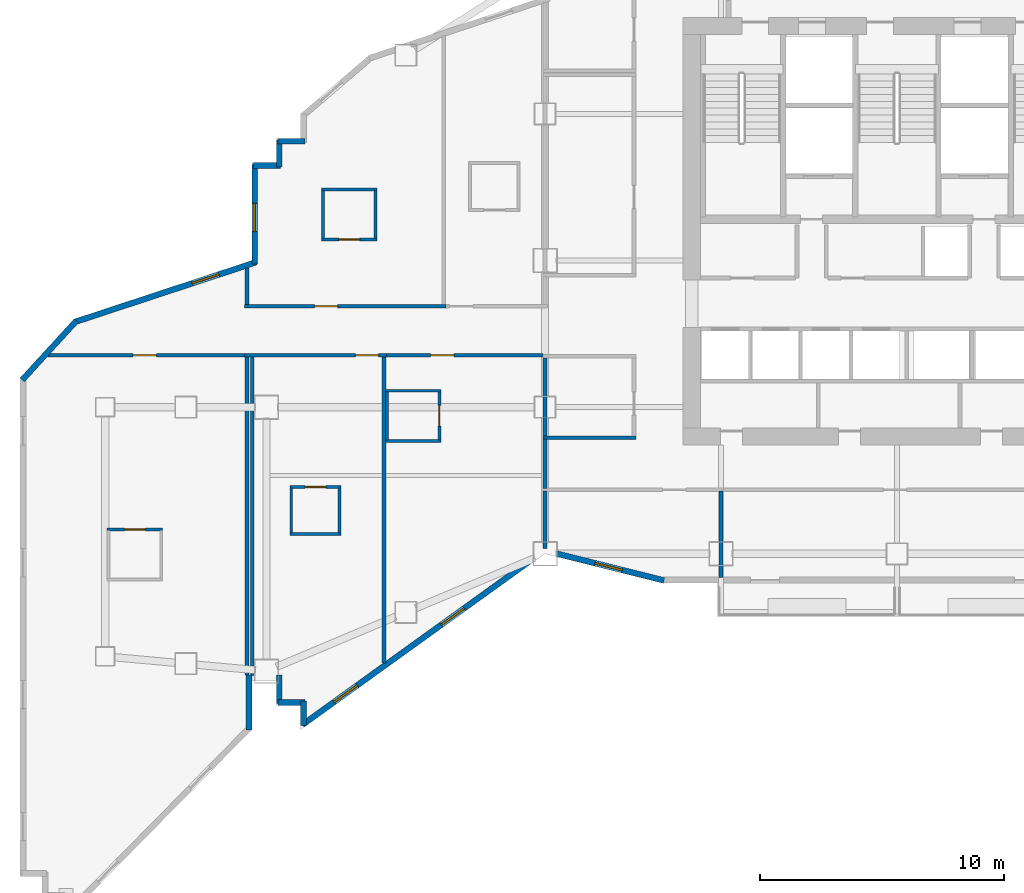
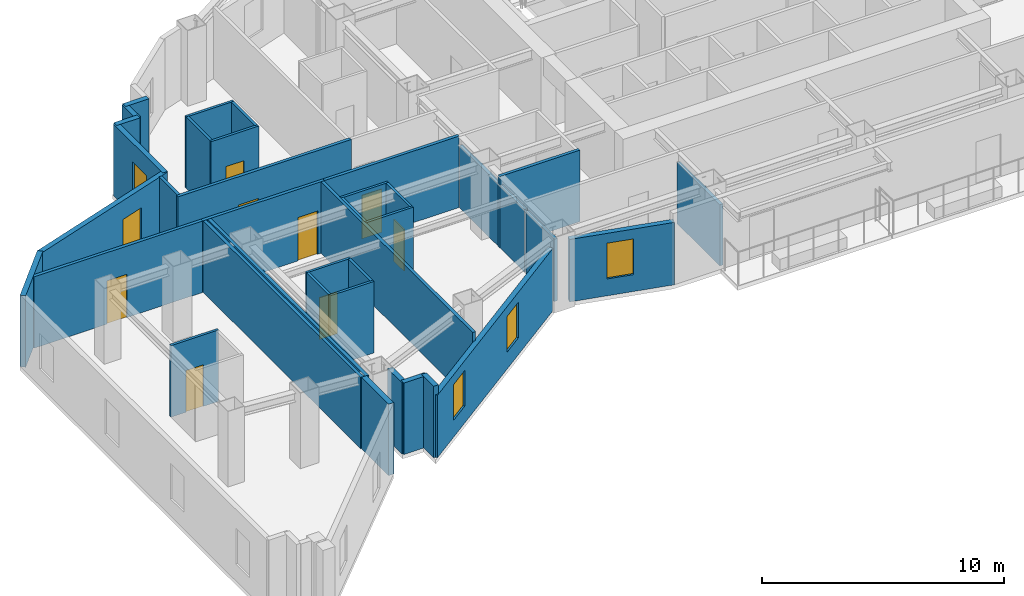
# One storey, part 5 of 14: 38 walls, 8 doors, 5 windows, 13 openings.
"""IFC4 building model written with IfcOpenShell, lengths in metres."""

from ifc_helpers import new_model, si_unit, direction, frame, frame_2d, origin, place, context, subcontext, project, spatial, rectangle, extrude, material, layer, layer_set, type_object, element, fill, save


model = new_model("IFC4")

# Units and contexts
model_context = context("Model", 3, precision=1e-05, world=origin(), true_north=direction((0.0, 1.0)))
body_context = subcontext(model_context, "Body", "Model", "MODEL_VIEW")
ifc_project = project(units=[si_unit("LENGTHUNIT", "METRE"), si_unit("AREAUNIT", "SQUARE_METRE"), si_unit("VOLUMEUNIT", "CUBIC_METRE"), si_unit("PLANEANGLEUNIT", "RADIAN"), si_unit("MASSUNIT", "GRAM", prefix="KILO")], contexts=[model_context])

# Site, building, storey
site_placement = place(None, origin())
site = spatial("IfcSite", under=ifc_project, at=site_placement, CompositionType="ELEMENT")
building_placement = place(site_placement, origin())
building = spatial("IfcBuilding", under=site, at=building_placement, Name="Haolan Belvedere Tower", CompositionType="ELEMENT")
storey_placement = place(building_placement, frame((0.0, 0.0, 109.800048828125)))
storey = spatial("IfcBuildingStorey", under=building, at=storey_placement, Name="L27", CompositionType="ELEMENT", Elevation=109.800048828125)

# Walls
ifc_material_1 = material(Name="Precast concrete C40/50", Category="concrete")
ifc_layer_1 = layer(ifc_material_1, 0.239990234375, Name="Precast concrete C40/50")
ifc_layer_set_1 = layer_set([ifc_layer_1], Name="Precast concrete C40/50")
wall_type_1 = type_object("IfcWallType", Name="WL-EXT-240", PredefinedType="SOLIDWALL", material=ifc_layer_set_1)
wall_1_placement = place(storey_placement, frame((13.1201171875, 16.639892578125, 0.0), z_axis=(0.0, 0.0, 1.0), x_axis=(0.0, -1.0, 0.0)))
element("IfcWall", 1, at=wall_1_placement, inside=storey, type_object=wall_type_1, Name="L27 pale-metal exterior spandrel wall 2.1", PredefinedType="SOLIDWALL", context=body_context, shape_type="SweptSolid", body=[
    extrude(rectangle(XDim=1.1748046875, YDim=0.239990234375, at=frame_2d((0.58740234375, 0.0))), origin(), (0.0, 0.0, 1.0), 3.599853515625),
])
wall_2_placement = place(storey_placement, frame((13.06494140625, 15.52001953125, 0.0), z_axis=(0.0, 0.0, 1.0), x_axis=(1.0, 0.0, 0.0)))
element("IfcWall", 2, at=wall_2_placement, inside=storey, type_object=wall_type_1, Name="L27 pale-metal exterior spandrel wall 3.1", PredefinedType="SOLIDWALL", context=body_context, shape_type="SweptSolid", body=[
    extrude(rectangle(XDim=1.110107421875, YDim=0.239990234375, at=frame_2d((0.55517578125, 0.0))), origin(), (0.0, 0.0, 1.0), 3.599853515625),
])
wall_3_placement = place(storey_placement, frame((14.1201171875, 15.574951171875, 0.0), z_axis=(0.0, 0.0, 1.0), x_axis=(0.0, -1.0, 0.0)))
element("IfcWall", 3, at=wall_3_placement, inside=storey, type_object=wall_type_1, Name="L27 pale-metal exterior spandrel wall 4.1", PredefinedType="SOLIDWALL", context=body_context, shape_type="SweptSolid", body=[
    extrude(rectangle(XDim=0.99560546875, YDim=0.239990234375, at=frame_2d((0.497802734375, 0.0))), origin(), (0.0, 0.0, 1.0), 3.599853515625),
])

# Wall, openings, windows
wall_4_placement = place(storey_placement, frame((14.075439453125, 14.602294921875, 0.0), z_axis=(0.0, 0.0, 1.0), x_axis=(0.811543504691, 0.584291998913, 0.0)))
wall_4 = element("IfcWall", 4, at=wall_4_placement, inside=storey, type_object=wall_type_1, Name="L27 pale-metal exterior spandrel wall 5.1", PredefinedType="SOLIDWALL", context=body_context, shape_type="SweptSolid", body=[
    extrude(rectangle(XDim=11.623046875, YDim=0.239990234375, at=frame_2d((5.8115234375, 0.0))), origin(), (0.0, 0.0, 1.0), 3.14501953125),
])
opening_1_placement = place(wall_4_placement, frame((1.60009765625, 0.0, 0.85009765625)))
opening_1 = element("IfcOpeningElement", 5, at=opening_1_placement, cuts=wall_4, Name="Opening W-02", PredefinedType="OPENING", context=body_context, shape_type="SweptSolid", body=[
    extrude(rectangle(XDim=1.14990234375, YDim=1.800048828125, at=frame_2d((0.574951171875, 0.89990234375))), frame((0.0, 0.1298828125, 0.0), z_axis=(0.0, -1.0, 0.0), x_axis=(1.0, 0.0, 0.0)), (0.0, 0.0, 1.0), 0.260009765625),
])
opening_2_placement = place(wall_4_placement, frame((7.0, 0.0, 0.85009765625)))
opening_2 = element("IfcOpeningElement", 6, at=opening_2_placement, cuts=wall_4, Name="Opening W-02", PredefinedType="OPENING", context=body_context, shape_type="SweptSolid", body=[
    extrude(rectangle(XDim=1.14990234375, YDim=1.800048828125, at=frame_2d((0.574951171875, 0.89990234375))), frame((0.0, 0.1298828125, 0.0), z_axis=(0.0, -1.0, 0.0), x_axis=(1.0, 0.0, 0.0)), (0.0, 0.0, 1.0), 0.260009765625),
])
ifc_material_2 = material(Name="Anodised aluminium 6063-T6 and Low-E glass", Category="aluminium")
window_type = type_object("IfcWindowType", Name="WN-DECO-Z2", PartitioningType="SINGLE_PANEL", PredefinedType="WINDOW", material=ifc_material_2)
window_1_placement = place(opening_1_placement, origin())
window_1 = element("IfcWindow", 7, at=window_1_placement, inside=storey, type_object=window_type, Name="L27 Art Deco chevron window 1", OverallHeight=1.800048828125, OverallWidth=1.14990234375, PartitioningType="SINGLE_PANEL", PredefinedType="WINDOW", context=body_context, shape_type="SweptSolid", body=[
    extrude(rectangle(XDim=1.14990234375, YDim=1.800048828125, at=frame_2d((0.574951171875, 0.89990234375))), frame((0.0, 0.030029296875, 0.0), z_axis=(0.0, -1.0, 0.0), x_axis=(1.0, 0.0, 0.0)), (0.0, 0.0, 1.0), 0.06005859375),
])
fill(opening_1, window_1)
window_2_placement = place(opening_2_placement, origin())
window_2 = element("IfcWindow", 8, at=window_2_placement, inside=storey, type_object=window_type, Name="L27 Art Deco chevron window 2", OverallHeight=1.800048828125, OverallWidth=1.14990234375, PartitioningType="SINGLE_PANEL", PredefinedType="WINDOW", context=body_context, shape_type="SweptSolid", body=[
    extrude(rectangle(XDim=1.14990234375, YDim=1.800048828125, at=frame_2d((0.574951171875, 0.89990234375))), frame((0.0, 0.030029296875, 0.0), z_axis=(0.0, -1.0, 0.0), x_axis=(1.0, 0.0, 0.0)), (0.0, 0.0, 1.0), 0.06005859375),
])
fill(opening_2, window_2)

# Wall, opening, window
wall_5_placement = place(storey_placement, frame((24.491943359375, 21.6005859375, 0.0), z_axis=(0.0, 0.0, 1.0), x_axis=(0.970145683738, -0.242522890311, 0.0)))
wall_5 = element("IfcWall", 9, at=wall_5_placement, inside=storey, type_object=wall_type_1, Name="L27 pale-metal exterior spandrel wall 6.1", PredefinedType="SOLIDWALL", context=body_context, shape_type="SweptSolid", body=[
    extrude(rectangle(XDim=4.510986328125, YDim=0.239990234375, at=frame_2d((2.25537109375, 0.0))), origin(), (0.0, 0.0, 1.0), 3.14501953125),
])
opening_3_placement = place(wall_5_placement, frame((1.60009765625, 0.0, 0.85009765625)))
opening_3 = element("IfcOpeningElement", 10, at=opening_3_placement, cuts=wall_5, Name="Opening W-02", PredefinedType="OPENING", context=body_context, shape_type="SweptSolid", body=[
    extrude(rectangle(XDim=1.14990234375, YDim=1.800048828125, at=frame_2d((0.574951171875, 0.89990234375))), frame((0.0, 0.1298828125, 0.0), z_axis=(0.0, -1.0, 0.0), x_axis=(1.0, 0.0, 0.0)), (0.0, 0.0, 1.0), 0.260009765625),
])
window_3_placement = place(opening_3_placement, origin())
window_3 = element("IfcWindow", 11, at=window_3_placement, inside=storey, type_object=window_type, Name="L27 Art Deco chevron window 1", OverallHeight=1.800048828125, OverallWidth=1.14990234375, PartitioningType="SINGLE_PANEL", PredefinedType="WINDOW", context=body_context, shape_type="SweptSolid", body=[
    extrude(rectangle(XDim=1.14990234375, YDim=1.800048828125, at=frame_2d((0.574951171875, 0.89990234375))), frame((0.0, 0.030029296875, 0.0), z_axis=(0.0, -1.0, 0.0), x_axis=(1.0, 0.0, 0.0)), (0.0, 0.0, 1.0), 0.06005859375),
])
fill(opening_3, window_3)

# Walls
wall_6_placement = place(storey_placement, frame((14.175048828125, 38.47998046875, 0.0), z_axis=(0.0, 0.0, 1.0), x_axis=(-1.0, 0.0, 0.0)))
element("IfcWall", 12, at=wall_6_placement, inside=storey, type_object=wall_type_1, Name="L27 pale-metal exterior spandrel wall 38.1", PredefinedType="SOLIDWALL", context=body_context, shape_type="SweptSolid", body=[
    extrude(rectangle(XDim=1.110107421875, YDim=0.239990234375, at=frame_2d((0.55517578125, 0.0))), origin(), (0.0, 0.0, 1.0), 3.599853515625),
])
wall_7_placement = place(storey_placement, frame((13.1201171875, 38.534912109375, 0.0), z_axis=(0.0, 0.0, 1.0), x_axis=(0.0, -1.0, 0.0)))
element("IfcWall", 13, at=wall_7_placement, inside=storey, type_object=wall_type_1, Name="L27 pale-metal exterior spandrel wall 39.1", PredefinedType="SOLIDWALL", context=body_context, shape_type="SweptSolid", body=[
    extrude(rectangle(XDim=1.10986328125, YDim=0.239990234375, at=frame_2d((0.554931640625, 0.0))), origin(), (0.0, 0.0, 1.0), 3.599853515625),
])
wall_8_placement = place(storey_placement, frame((13.175048828125, 37.47998046875, 0.0), z_axis=(0.0, 0.0, 1.0), x_axis=(-1.0, 0.0, 0.0)))
element("IfcWall", 14, at=wall_8_placement, inside=storey, type_object=wall_type_1, Name="L27 pale-metal exterior spandrel wall 40.1", PredefinedType="SOLIDWALL", context=body_context, shape_type="SweptSolid", body=[
    extrude(rectangle(XDim=1.110107421875, YDim=0.239990234375, at=frame_2d((0.55517578125, 0.0))), origin(), (0.0, 0.0, 1.0), 3.599853515625),
])

# Wall, opening, window
wall_9_placement = place(storey_placement, frame((12.1201171875, 37.534912109375, 0.0), z_axis=(0.0, 0.0, 1.0), x_axis=(0.0, -1.0, 0.0)))
wall_9 = element("IfcWall", 15, at=wall_9_placement, inside=storey, type_object=wall_type_1, Name="L27 pale-metal exterior spandrel wall 41.1", PredefinedType="SOLIDWALL", context=body_context, shape_type="SweptSolid", body=[
    extrude(rectangle(XDim=4.07666015625, YDim=0.239990234375, at=frame_2d((2.038330078125, 0.0))), origin(), (0.0, 0.0, 1.0), 3.599853515625),
])
opening_4_placement = place(wall_9_placement, frame((1.60009765625, 0.0, 0.85009765625)))
opening_4 = element("IfcOpeningElement", 16, at=opening_4_placement, cuts=wall_9, Name="Opening W-02", PredefinedType="OPENING", context=body_context, shape_type="SweptSolid", body=[
    extrude(rectangle(XDim=1.14990234375, YDim=1.800048828125, at=frame_2d((0.574951171875, 0.89990234375))), frame((0.0, 0.1298828125, 0.0), z_axis=(0.0, -1.0, 0.0), x_axis=(1.0, 0.0, 0.0)), (0.0, 0.0, 1.0), 0.260009765625),
])
window_4_placement = place(opening_4_placement, origin())
window_4 = element("IfcWindow", 17, at=window_4_placement, inside=storey, type_object=window_type, Name="L27 Art Deco chevron window 1", OverallHeight=1.800048828125, OverallWidth=1.14990234375, PartitioningType="SINGLE_PANEL", PredefinedType="WINDOW", context=body_context, shape_type="SweptSolid", body=[
    extrude(rectangle(XDim=1.14990234375, YDim=1.800048828125, at=frame_2d((0.574951171875, 0.89990234375))), frame((0.0, 0.030029296875, 0.0), z_axis=(0.0, -1.0, 0.0), x_axis=(1.0, 0.0, 0.0)), (0.0, 0.0, 1.0), 0.06005859375),
])
fill(opening_4, window_4)

wall_10_placement = place(storey_placement, frame((12.172119140625, 33.530517578125, 0.0), z_axis=(0.0, 0.0, 1.0), x_axis=(-0.949716382283, -0.313111470923, 0.0)))
wall_10 = element("IfcWall", 18, at=wall_10_placement, inside=storey, type_object=wall_type_1, Name="L27 pale-metal exterior spandrel wall 42.1", PredefinedType="SOLIDWALL", context=body_context, shape_type="SweptSolid", body=[
    extrude(rectangle(XDim=7.830810546875, YDim=0.239990234375, at=frame_2d((3.91552734375, 0.0))), origin(), (0.0, 0.0, 1.0), 3.599853515625),
])
opening_5_placement = place(wall_10_placement, frame((1.60009765625, 0.0, 0.85009765625)))
opening_5 = element("IfcOpeningElement", 19, at=opening_5_placement, cuts=wall_10, Name="Opening W-02", PredefinedType="OPENING", context=body_context, shape_type="SweptSolid", body=[
    extrude(rectangle(XDim=1.14990234375, YDim=1.800048828125, at=frame_2d((0.574951171875, 0.89990234375))), frame((0.0, 0.1298828125, 0.0), z_axis=(0.0, -1.0, 0.0), x_axis=(1.0, 0.0, 0.0)), (0.0, 0.0, 1.0), 0.260009765625),
])
window_5_placement = place(opening_5_placement, origin())
window_5 = element("IfcWindow", 20, at=window_5_placement, inside=storey, type_object=window_type, Name="L27 Art Deco chevron window 1", OverallHeight=1.800048828125, OverallWidth=1.14990234375, PartitioningType="SINGLE_PANEL", PredefinedType="WINDOW", context=body_context, shape_type="SweptSolid", body=[
    extrude(rectangle(XDim=1.14990234375, YDim=1.800048828125, at=frame_2d((0.574951171875, 0.89990234375))), frame((0.0, 0.030029296875, 0.0), z_axis=(0.0, -1.0, 0.0), x_axis=(1.0, 0.0, 0.0)), (0.0, 0.0, 1.0), 0.06005859375),
])
fill(opening_5, window_5)

# Walls
wall_11_placement = place(storey_placement, frame((4.824462890625, 31.13623046875, 0.0), z_axis=(0.0, 0.0, 1.0), x_axis=(-0.675771705575, -0.737110983465, 0.0)))
element("IfcWall", 21, at=wall_11_placement, inside=storey, type_object=wall_type_1, Name="L27 pale-metal exterior spandrel wall 43.1", PredefinedType="SOLIDWALL", context=body_context, shape_type="SweptSolid", body=[
    extrude(rectangle(XDim=3.28759765625, YDim=0.239990234375, at=frame_2d((1.643798828125, 0.0))), origin(), (0.0, 0.0, 1.0), 3.599853515625),
])
wall_12_placement = place(storey_placement, frame((11.8798828125, 14.39404296875, 0.0), z_axis=(0.0, 0.0, 1.0), x_axis=(0.0, 1.0, 0.0)))
element("IfcWall", 22, at=wall_12_placement, inside=storey, type_object=wall_type_1, Name="L27 pale-metal exterior spandrel wall 50.1", PredefinedType="SOLIDWALL", context=body_context, shape_type="SweptSolid", body=[
    extrude(rectangle(XDim=2.245849609375, YDim=0.239990234375, at=frame_2d((1.123046875, 0.0))), origin(), (0.0, 0.0, 1.0), 3.599853515625),
])
ifc_material_3 = material(Name="Double gypsum acoustic stud partition", Category="masonry")
ifc_layer_2 = layer(ifc_material_3, 0.14990234375, Name="Double gypsum acoustic stud partition")
ifc_layer_set_2 = layer_set([ifc_layer_2], Name="Double gypsum acoustic stud partition")
wall_type_2 = type_object("IfcWallType", Name="WL-PART-150", PredefinedType="PARTITIONING", material=ifc_layer_set_2)
wall_13_placement = place(storey_placement, frame((23.919921875, 26.35009765625, 0.0), z_axis=(0.0, 0.0, 1.0), x_axis=(1.0, 0.0, 0.0)))
element("IfcWall", 23, at=wall_13_placement, inside=storey, type_object=wall_type_2, Name="L27 interior partition IW-L27-PKTW-S", PredefinedType="PARTITIONING", context=body_context, shape_type="SweptSolid", body=[
    extrude(rectangle(XDim=3.800048828125, YDim=0.14990234375, at=frame_2d((1.89990234375, 0.0))), origin(), (0.0, 0.0, 1.0), 3.599853515625),
])
wall_14_placement = place(storey_placement, frame((24.0, 26.409912109375, 0.0), z_axis=(0.0, 0.0, 1.0), x_axis=(0.0, 1.0, 0.0)))
element("IfcWall", 24, at=wall_14_placement, inside=storey, type_object=wall_type_2, Name="L27 interior partition IW-L27-PKTW-W", PredefinedType="PARTITIONING", context=body_context, shape_type="SweptSolid", body=[
    extrude(rectangle(XDim=3.210205078125, YDim=0.14990234375, at=frame_2d((1.60498046875, 0.0))), origin(), (0.0, 0.0, 1.0), 3.14501953125),
])
wall_15_placement = place(storey_placement, frame((24.0, 21.818603515625, 0.0), z_axis=(0.0, 0.0, 1.0), x_axis=(0.0, 1.0, 0.0)))
element("IfcWall", 25, at=wall_15_placement, inside=storey, type_object=wall_type_2, Name="L27 interior partition IW-L27-KS1-W", PredefinedType="PARTITIONING", context=body_context, shape_type="SweptSolid", body=[
    extrude(rectangle(XDim=2.34130859375, YDim=0.14990234375, at=frame_2d((1.170654296875, 0.0))), origin(), (0.0, 0.0, 1.0), 3.14501953125),
])
wall_16_placement = place(storey_placement, frame((31.199951171875, 20.625, 0.0), z_axis=(0.0, 0.0, 1.0), x_axis=(0.0, 1.0, 0.0)))
element("IfcWall", 26, at=wall_16_placement, inside=storey, type_object=wall_type_2, Name="L27 interior partition IW-L27-KS1-E", PredefinedType="PARTITIONING", context=body_context, shape_type="SweptSolid", body=[
    extrude(rectangle(XDim=3.534912109375, YDim=0.14990234375, at=frame_2d((1.767578125, 0.0))), origin(), (0.0, 0.0, 1.0), 3.0849609375),
])

# Wall, opening, door
wall_17_placement = place(storey_placement, frame((11.699951171875, 31.72998046875, 0.0), z_axis=(0.0, 0.0, 1.0), x_axis=(1.0, 0.0, 0.0)))
wall_17 = element("IfcWall", 27, at=wall_17_placement, inside=storey, type_object=wall_type_2, Name="L27 interior partition IW-L27-T2N1-S", PredefinedType="PARTITIONING", context=body_context, shape_type="SweptSolid", body=[
    extrude(rectangle(XDim=8.25, YDim=0.14990234375, at=frame_2d((4.125, 0.0))), origin(), (0.0, 0.0, 1.0), 3.599853515625),
])
opening_6_placement = place(wall_17_placement, frame((2.866455078125, 0.0, 0.0)))
opening_6 = element("IfcOpeningElement", 28, at=opening_6_placement, cuts=wall_17, Name="Opening ID-01", PredefinedType="OPENING", context=body_context, shape_type="SweptSolid", body=[
    extrude(rectangle(XDim=0.949951171875, YDim=2.179931640625, at=frame_2d((0.47509765625, 1.08984375))), frame((0.0, 0.0849609375, 0.0), z_axis=(0.0, -1.0, 0.0), x_axis=(1.0, 0.0, 0.0)), (0.0, 0.0, 1.0), 0.169921875),
])
ifc_material_4 = material(Name="Acoustic walnut veneer fire-rated timber", Category="wood")
door_type_1 = type_object("IfcDoorType", Name="DR-SUITE-950", OperationType="NOTDEFINED", PredefinedType="DOOR", material=ifc_material_4)
door_1_placement = place(opening_6_placement, origin())
door_1 = element("IfcDoor", 29, at=door_1_placement, inside=storey, type_object=door_type_1, Name="L27 door ID-L27-T2N1-ENT", OperationType="SINGLE_SWING_RIGHT", OverallHeight=2.179931640625, OverallWidth=0.949951171875, PredefinedType="DOOR", context=body_context, shape_type="SweptSolid", body=[
    extrude(rectangle(XDim=0.949951171875, YDim=2.179931640625, at=frame_2d((0.47509765625, 1.08984375))), frame((0.0, 0.02490234375, 0.0), z_axis=(0.0, -1.0, 0.0), x_axis=(1.0, 0.0, 0.0)), (0.0, 0.0, 1.0), 0.050048828125),
])
fill(opening_6, door_1)

# Wall
wall_18_placement = place(storey_placement, frame((11.800048828125, 31.7900390625, 0.0), z_axis=(0.0, 0.0, 1.0), x_axis=(0.0, 1.0, 0.0)))
element("IfcWall", 30, at=wall_18_placement, inside=storey, type_object=wall_type_2, Name="L27 interior partition IW-L27-T2N1-W", PredefinedType="PARTITIONING", context=body_context, shape_type="SweptSolid", body=[
    extrude(rectangle(XDim=1.507080078125, YDim=0.14990234375, at=frame_2d((0.75341796875, 0.0))), origin(), (0.0, 0.0, 1.0), 3.599853515625),
])

# Wall, opening, door
wall_19_placement = place(storey_placement, frame((11.699951171875, 29.719970703125, 0.0), z_axis=(0.0, 0.0, 1.0), x_axis=(1.0, 0.0, 0.0)))
wall_19 = element("IfcWall", 31, at=wall_19_placement, inside=storey, type_object=wall_type_2, Name="L27 interior partition IW-L27-T2S1-N", PredefinedType="PARTITIONING", context=body_context, shape_type="SweptSolid", body=[
    extrude(rectangle(XDim=5.81005859375, YDim=0.14990234375, at=frame_2d((2.905029296875, 0.0))), origin(), (0.0, 0.0, 1.0), 3.599853515625),
])
opening_7_placement = place(wall_19_placement, frame((5.48779296875, 0.0, 0.0), z_axis=(0.0, 0.0, 1.0), x_axis=(-1.0, 0.0, 0.0)))
opening_7 = element("IfcOpeningElement", 32, at=opening_7_placement, cuts=wall_19, Name="Opening ID-01", PredefinedType="OPENING", context=body_context, shape_type="SweptSolid", body=[
    extrude(rectangle(XDim=0.949951171875, YDim=2.179931640625, at=frame_2d((0.47509765625, 1.08984375))), frame((0.0, 0.0849609375, 0.0), z_axis=(0.0, -1.0, 0.0), x_axis=(1.0, 0.0, 0.0)), (0.0, 0.0, 1.0), 0.169921875),
])
door_2_placement = place(opening_7_placement, origin())
door_2 = element("IfcDoor", 33, at=door_2_placement, inside=storey, type_object=door_type_1, Name="L27 door ID-L27-T2S1-ENT", OperationType="SINGLE_SWING_RIGHT", OverallHeight=2.179931640625, OverallWidth=0.949951171875, PredefinedType="DOOR", context=body_context, shape_type="SweptSolid", body=[
    extrude(rectangle(XDim=0.949951171875, YDim=2.179931640625, at=frame_2d((0.47509765625, 1.08984375))), frame((0.0, 0.02490234375, 0.0), z_axis=(0.0, -1.0, 0.0), x_axis=(1.0, 0.0, 0.0)), (0.0, 0.0, 1.0), 0.050048828125),
])
fill(opening_7, door_2)

# Walls
wall_20_placement = place(storey_placement, frame((11.800048828125, 16.64208984375, 0.0), z_axis=(0.0, 0.0, 1.0), x_axis=(0.0, 1.0, 0.0)))
element("IfcWall", 34, at=wall_20_placement, inside=storey, type_object=wall_type_2, Name="L27 interior partition IW-L27-T2S1-W", PredefinedType="PARTITIONING", context=body_context, shape_type="SweptSolid", body=[
    extrude(rectangle(XDim=13.017822265625, YDim=0.14990234375, at=frame_2d((6.5087890625, 0.0))), origin(), (0.0, 0.0, 1.0), 3.599853515625),
])
wall_21_placement = place(storey_placement, frame((17.409912109375, 17.132568359375, 0.0), z_axis=(0.0, 0.0, 1.0), x_axis=(0.0, 1.0, 0.0)))
element("IfcWall", 35, at=wall_21_placement, inside=storey, type_object=wall_type_2, Name="L27 interior partition IW-L27-T2S1-E", PredefinedType="PARTITIONING", context=body_context, shape_type="SweptSolid", body=[
    extrude(rectangle(XDim=12.52734375, YDim=0.14990234375, at=frame_2d((6.263671875, 0.0))), origin(), (0.0, 0.0, 1.0), 3.599853515625),
])

# Wall, opening, door
wall_22_placement = place(storey_placement, frame((17.511962890625, 29.719970703125, 0.0), z_axis=(0.0, 0.0, 1.0), x_axis=(1.0, 0.0, 0.0)))
wall_22 = element("IfcWall", 36, at=wall_22_placement, inside=storey, type_object=wall_type_2, Name="L27 interior partition IW-L27-T2S2-N", PredefinedType="PARTITIONING", context=body_context, shape_type="SweptSolid", body=[
    extrude(rectangle(XDim=6.406005859375, YDim=0.14990234375, at=frame_2d((3.203125, 0.0))), origin(), (0.0, 0.0, 1.0), 3.599853515625),
])
opening_8_placement = place(wall_22_placement, frame((2.754638671875, 0.0, 0.0), z_axis=(0.0, 0.0, 1.0), x_axis=(-1.0, 0.0, 0.0)))
opening_8 = element("IfcOpeningElement", 37, at=opening_8_placement, cuts=wall_22, Name="Opening ID-01", PredefinedType="OPENING", context=body_context, shape_type="SweptSolid", body=[
    extrude(rectangle(XDim=0.949951171875, YDim=2.179931640625, at=frame_2d((0.47509765625, 1.08984375))), frame((0.0, 0.0849609375, 0.0), z_axis=(0.0, -1.0, 0.0), x_axis=(1.0, 0.0, 0.0)), (0.0, 0.0, 1.0), 0.169921875),
])
door_3_placement = place(opening_8_placement, origin())
door_3 = element("IfcDoor", 38, at=door_3_placement, inside=storey, type_object=door_type_1, Name="L27 door ID-L27-T2S2-ENT", OperationType="SINGLE_SWING_LEFT", OverallHeight=2.179931640625, OverallWidth=0.949951171875, PredefinedType="DOOR", context=body_context, shape_type="SweptSolid", body=[
    extrude(rectangle(XDim=0.949951171875, YDim=2.179931640625, at=frame_2d((0.47509765625, 1.08984375))), frame((0.0, 0.02490234375, 0.0), z_axis=(0.0, -1.0, 0.0), x_axis=(1.0, 0.0, 0.0)), (0.0, 0.0, 1.0), 0.050048828125),
])
fill(opening_8, door_3)

# Wall
wall_23_placement = place(storey_placement, frame((24.0, 24.280029296875, 0.0), z_axis=(0.0, 0.0, 1.0), x_axis=(0.0, 1.0, 0.0)))
element("IfcWall", 39, at=wall_23_placement, inside=storey, type_object=wall_type_2, Name="L27 interior partition IW-L27-T2S2-E", PredefinedType="PARTITIONING", context=body_context, shape_type="SweptSolid", body=[
    extrude(rectangle(XDim=2.010009765625, YDim=0.14990234375, at=frame_2d((1.0048828125, 0.0))), origin(), (0.0, 0.0, 1.0), 3.14501953125),
])

# Wall, opening, door
wall_24_placement = place(storey_placement, frame((3.668701171875, 29.719970703125, 0.0), z_axis=(0.0, 0.0, 1.0), x_axis=(1.0, 0.0, 0.0)))
wall_24 = element("IfcWall", 40, at=wall_24_placement, inside=storey, type_object=wall_type_2, Name="L27 interior partition IW-L27-T1S1-N", PredefinedType="PARTITIONING", context=body_context, shape_type="SweptSolid", body=[
    extrude(rectangle(XDim=8.029296875, YDim=0.14990234375, at=frame_2d((4.0146484375, 0.0))), origin(), (0.0, 0.0, 1.0), 3.599853515625),
])
opening_9_placement = place(wall_24_placement, frame((4.42822265625, 0.0, 0.0), z_axis=(0.0, 0.0, 1.0), x_axis=(-1.0, 0.0, 0.0)))
opening_9 = element("IfcOpeningElement", 41, at=opening_9_placement, cuts=wall_24, Name="Opening ID-01", PredefinedType="OPENING", context=body_context, shape_type="SweptSolid", body=[
    extrude(rectangle(XDim=0.949951171875, YDim=2.179931640625, at=frame_2d((0.47509765625, 1.08984375))), frame((0.0, 0.0849609375, 0.0), z_axis=(0.0, -1.0, 0.0), x_axis=(1.0, 0.0, 0.0)), (0.0, 0.0, 1.0), 0.169921875),
])
door_4_placement = place(opening_9_placement, origin())
door_4 = element("IfcDoor", 42, at=door_4_placement, inside=storey, type_object=door_type_1, Name="L27 door ID-L27-T1S1-ENT", OperationType="SINGLE_SWING_RIGHT", OverallHeight=2.179931640625, OverallWidth=0.949951171875, PredefinedType="DOOR", context=body_context, shape_type="SweptSolid", body=[
    extrude(rectangle(XDim=0.949951171875, YDim=2.179931640625, at=frame_2d((0.47509765625, 1.08984375))), frame((0.0, 0.02490234375, 0.0), z_axis=(0.0, -1.0, 0.0), x_axis=(1.0, 0.0, 0.0)), (0.0, 0.0, 1.0), 0.050048828125),
])
fill(opening_9, door_4)

# Walls
wall_25_placement = place(storey_placement, frame((12.02001953125, 16.612060546875, 0.0), z_axis=(0.0, 0.0, 1.0), x_axis=(0.0, 1.0, 0.0)))
element("IfcWall", 43, at=wall_25_placement, inside=storey, type_object=wall_type_2, Name="L27 interior partition IW-L27-T1S1-E", PredefinedType="PARTITIONING", context=body_context, shape_type="SweptSolid", body=[
    extrude(rectangle(XDim=13.0478515625, YDim=0.14990234375, at=frame_2d((6.52392578125, 0.0))), origin(), (0.0, 0.0, 1.0), 3.599853515625),
])
ifc_material_5 = material(Name="Moisture-resistant gypsum tile partition", Category="masonry")
ifc_layer_3 = layer(ifc_material_5, 0.1201171875, Name="Moisture-resistant gypsum tile partition")
ifc_layer_set_3 = layer_set([ifc_layer_3], Name="Moisture-resistant gypsum tile partition")
wall_type_3 = type_object("IfcWallType", Name="WL-WET-120", PredefinedType="PARTITIONING", material=ifc_layer_set_3)
wall_26_placement = place(storey_placement, frame((14.85498046875, 36.512939453125, 0.0), z_axis=(0.0, 0.0, 1.0), x_axis=(1.0, 0.0, 0.0)))
element("IfcWall", 44, at=wall_26_placement, inside=storey, type_object=wall_type_3, Name="L27 interior partition IW-L27-T2N1-BN", PredefinedType="PARTITIONING", context=body_context, shape_type="SweptSolid", body=[
    extrude(rectangle(XDim=2.27001953125, YDim=0.1201171875, at=frame_2d((1.135009765625, 0.0))), origin(), (0.0, 0.0, 1.0), 3.599853515625),
])

# Wall, opening, door
wall_27_placement = place(storey_placement, frame((14.85498046875, 34.462890625, 0.0), z_axis=(0.0, 0.0, 1.0), x_axis=(1.0, 0.0, 0.0)))
wall_27 = element("IfcWall", 45, at=wall_27_placement, inside=storey, type_object=wall_type_3, Name="L27 interior partition IW-L27-T2N1-BS", PredefinedType="PARTITIONING", context=body_context, shape_type="SweptSolid", body=[
    extrude(rectangle(XDim=2.27001953125, YDim=0.1201171875, at=frame_2d((1.135009765625, 0.0))), origin(), (0.0, 0.0, 1.0), 3.599853515625),
])
opening_10_placement = place(wall_27_placement, frame((0.7099609375, 0.0, 0.0)))
opening_10 = element("IfcOpeningElement", 46, at=opening_10_placement, cuts=wall_27, Name="Opening ID-05", PredefinedType="OPENING", context=body_context, shape_type="SweptSolid", body=[
    extrude(rectangle(XDim=0.85009765625, YDim=2.10009765625, at=frame_2d((0.425048828125, 1.050048828125))), frame((0.0, 0.070068359375, 0.0), z_axis=(0.0, -1.0, 0.0), x_axis=(1.0, 0.0, 0.0)), (0.0, 0.0, 1.0), 0.14013671875),
])
ifc_material_6 = material(Name="Moisture-resistant lacquered timber", Category="wood")
door_type_2 = type_object("IfcDoorType", Name="DR-BATH-850", OperationType="NOTDEFINED", PredefinedType="DOOR", material=ifc_material_6)
door_5_placement = place(opening_10_placement, origin())
door_5 = element("IfcDoor", 47, at=door_5_placement, inside=storey, type_object=door_type_2, Name="L27 door ID-L27-T2N1-BATH", OperationType="SINGLE_SWING_LEFT", OverallHeight=2.10009765625, OverallWidth=0.85009765625, PredefinedType="DOOR", context=body_context, shape_type="SweptSolid", body=[
    extrude(rectangle(XDim=0.85009765625, YDim=2.10009765625, at=frame_2d((0.425048828125, 1.050048828125))), frame((0.0, 0.02490234375, 0.0), z_axis=(0.0, -1.0, 0.0), x_axis=(1.0, 0.0, 0.0)), (0.0, 0.0, 1.0), 0.050048828125),
])
fill(opening_10, door_5)

# Walls
for number, where, z_axis, x_axis, name in (
    (48, (14.9150390625, 34.508056640625, 0.0), (0.0, 0.0, 1.0), (0.0, 1.0, 0.0), "L27 interior partition IW-L27-T2N1-BW"),
    (49, (17.06494140625, 34.508056640625, 0.0), (0.0, 0.0, 1.0), (0.0, 1.0, 0.0), "L27 interior partition IW-L27-T2N1-BE"),
):
    element("IfcWall", number, at=place(storey_placement, frame(where, z_axis=z_axis, x_axis=x_axis)), inside=storey, type_object=wall_type_3, Name=name, PredefinedType="PARTITIONING", context=body_context, shape_type="SweptSolid", body=[
        extrude(rectangle(XDim=1.9599609375, YDim=0.1201171875, at=frame_2d((0.97998046875, 0.0))), origin(), (0.0, 0.0, 1.0), 3.599853515625),
    ])

# Wall, opening, door
wall_28_placement = place(storey_placement, frame((13.554931640625, 24.327880859375, 0.0), z_axis=(0.0, 0.0, 1.0), x_axis=(1.0, 0.0, 0.0)))
wall_28 = element("IfcWall", 50, at=wall_28_placement, inside=storey, type_object=wall_type_3, Name="L27 interior partition IW-L27-T2S1-BN", PredefinedType="PARTITIONING", context=body_context, shape_type="SweptSolid", body=[
    extrude(rectangle(XDim=2.10009765625, YDim=0.1201171875, at=frame_2d((1.050048828125, 0.0))), origin(), (0.0, 0.0, 1.0), 3.599853515625),
])
opening_11_placement = place(wall_28_placement, frame((1.47509765625, 0.0, 0.0), z_axis=(0.0, 0.0, 1.0), x_axis=(-1.0, 0.0, 0.0)))
opening_11 = element("IfcOpeningElement", 51, at=opening_11_placement, cuts=wall_28, Name="Opening ID-05", PredefinedType="OPENING", context=body_context, shape_type="SweptSolid", body=[
    extrude(rectangle(XDim=0.85009765625, YDim=2.10009765625, at=frame_2d((0.425048828125, 1.050048828125))), frame((0.0, 0.070068359375, 0.0), z_axis=(0.0, -1.0, 0.0), x_axis=(1.0, 0.0, 0.0)), (0.0, 0.0, 1.0), 0.14013671875),
])
door_6_placement = place(opening_11_placement, origin())
door_6 = element("IfcDoor", 52, at=door_6_placement, inside=storey, type_object=door_type_2, Name="L27 door ID-L27-T2S1-BATH", OperationType="SINGLE_SWING_LEFT", OverallHeight=2.10009765625, OverallWidth=0.85009765625, PredefinedType="DOOR", context=body_context, shape_type="SweptSolid", body=[
    extrude(rectangle(XDim=0.85009765625, YDim=2.10009765625, at=frame_2d((0.425048828125, 1.050048828125))), frame((0.0, 0.02490234375, 0.0), z_axis=(0.0, -1.0, 0.0), x_axis=(1.0, 0.0, 0.0)), (0.0, 0.0, 1.0), 0.050048828125),
])
fill(opening_11, door_6)

# Walls
wall_29_placement = place(storey_placement, frame((13.554931640625, 22.407958984375, 0.0), z_axis=(0.0, 0.0, 1.0), x_axis=(1.0, 0.0, 0.0)))
element("IfcWall", 53, at=wall_29_placement, inside=storey, type_object=wall_type_3, Name="L27 interior partition IW-L27-T2S1-BS", PredefinedType="PARTITIONING", context=body_context, shape_type="SweptSolid", body=[
    extrude(rectangle(XDim=2.10009765625, YDim=0.1201171875, at=frame_2d((1.050048828125, 0.0))), origin(), (0.0, 0.0, 1.0), 3.599853515625),
])
for number, where, z_axis, x_axis, name in (
    (54, (13.614990234375, 22.452880859375, 0.0), (0.0, 0.0, 1.0), (0.0, 1.0, 0.0), "L27 interior partition IW-L27-T2S1-BW"),
    (55, (15.594970703125, 22.452880859375, 0.0), (0.0, 0.0, 1.0), (0.0, 1.0, 0.0), "L27 interior partition IW-L27-T2S1-BE"),
):
    element("IfcWall", number, at=place(storey_placement, frame(where, z_axis=z_axis, x_axis=x_axis)), inside=storey, type_object=wall_type_3, Name=name, PredefinedType="PARTITIONING", context=body_context, shape_type="SweptSolid", body=[
        extrude(rectangle(XDim=1.830078125, YDim=0.1201171875, at=frame_2d((0.9150390625, 0.0))), origin(), (0.0, 0.0, 1.0), 3.599853515625),
    ])
for number, where, z_axis, x_axis, name in (
    (56, (17.469970703125, 28.27001953125, 0.0), (0.0, 0.0, 1.0), (1.0, 0.0, 0.0), "L27 interior partition IW-L27-T2S2-BN"),
    (57, (17.469970703125, 26.219970703125, 0.0), (0.0, 0.0, 1.0), (1.0, 0.0, 0.0), "L27 interior partition IW-L27-T2S2-BS"),
):
    element("IfcWall", number, at=place(storey_placement, frame(where, z_axis=z_axis, x_axis=x_axis)), inside=storey, type_object=wall_type_3, Name=name, PredefinedType="PARTITIONING", context=body_context, shape_type="SweptSolid", body=[
        extrude(rectangle(XDim=2.26513671875, YDim=0.1201171875, at=frame_2d((1.132568359375, 0.0))), origin(), (0.0, 0.0, 1.0), 3.599853515625),
    ])
wall_30_placement = place(storey_placement, frame((17.52490234375, 26.264892578125, 0.0), z_axis=(0.0, 0.0, 1.0), x_axis=(0.0, 1.0, 0.0)))
element("IfcWall", 58, at=wall_30_placement, inside=storey, type_object=wall_type_3, Name="L27 interior partition IW-L27-T2S2-BW", PredefinedType="PARTITIONING", context=body_context, shape_type="SweptSolid", body=[
    extrude(rectangle(XDim=1.960205078125, YDim=0.1201171875, at=frame_2d((0.97998046875, 0.0))), origin(), (0.0, 0.0, 1.0), 3.599853515625),
])

# Wall, opening, door
wall_31_placement = place(storey_placement, frame((19.675048828125, 26.264892578125, 0.0), z_axis=(0.0, 0.0, 1.0), x_axis=(0.0, 1.0, 0.0)))
wall_31 = element("IfcWall", 59, at=wall_31_placement, inside=storey, type_object=wall_type_3, Name="L27 interior partition IW-L27-T2S2-BE", PredefinedType="PARTITIONING", context=body_context, shape_type="SweptSolid", body=[
    extrude(rectangle(XDim=1.960205078125, YDim=0.1201171875, at=frame_2d((0.97998046875, 0.0))), origin(), (0.0, 0.0, 1.0), 3.599853515625),
])
opening_12_placement = place(wall_31_placement, frame((0.554931640625, 0.0, 0.0)))
opening_12 = element("IfcOpeningElement", 60, at=opening_12_placement, cuts=wall_31, Name="Opening ID-05", PredefinedType="OPENING", context=body_context, shape_type="SweptSolid", body=[
    extrude(rectangle(XDim=0.85009765625, YDim=2.10009765625, at=frame_2d((0.425048828125, 1.050048828125))), frame((0.0, 0.070068359375, 0.0), z_axis=(0.0, -1.0, 0.0), x_axis=(1.0, 0.0, 0.0)), (0.0, 0.0, 1.0), 0.14013671875),
])
door_7_placement = place(opening_12_placement, origin())
door_7 = element("IfcDoor", 61, at=door_7_placement, inside=storey, type_object=door_type_2, Name="L27 door ID-L27-T2S2-BATH", OperationType="SINGLE_SWING_RIGHT", OverallHeight=2.10009765625, OverallWidth=0.85009765625, PredefinedType="DOOR", context=body_context, shape_type="SweptSolid", body=[
    extrude(rectangle(XDim=0.85009765625, YDim=2.10009765625, at=frame_2d((0.425048828125, 1.050048828125))), frame((0.0, 0.02490234375, 0.0), z_axis=(0.0, -1.0, 0.0), x_axis=(1.0, 0.0, 0.0)), (0.0, 0.0, 1.0), 0.050048828125),
])
fill(opening_12, door_7)

wall_32_placement = place(storey_placement, frame((6.0830078125, 22.591064453125, 0.0), z_axis=(0.0, 0.0, 1.0), x_axis=(1.0, 0.0, 0.0)))
wall_32 = element("IfcWall", 62, at=wall_32_placement, inside=storey, type_object=wall_type_3, Name="L27 interior partition IW-L27-T1S1-BN", PredefinedType="PARTITIONING", context=body_context, shape_type="SweptSolid", body=[
    extrude(rectangle(XDim=2.27001953125, YDim=0.1201171875, at=frame_2d((1.135009765625, 0.0))), origin(), (0.0, 0.0, 1.0), 3.599853515625),
])
opening_13_placement = place(wall_32_placement, frame((1.56005859375, 0.0, 0.0), z_axis=(0.0, 0.0, 1.0), x_axis=(-1.0, 0.0, 0.0)))
opening_13 = element("IfcOpeningElement", 63, at=opening_13_placement, cuts=wall_32, Name="Opening ID-05", PredefinedType="OPENING", context=body_context, shape_type="SweptSolid", body=[
    extrude(rectangle(XDim=0.85009765625, YDim=2.10009765625, at=frame_2d((0.425048828125, 1.050048828125))), frame((0.0, 0.070068359375, 0.0), z_axis=(0.0, -1.0, 0.0), x_axis=(1.0, 0.0, 0.0)), (0.0, 0.0, 1.0), 0.14013671875),
])
door_8_placement = place(opening_13_placement, origin())
door_8 = element("IfcDoor", 64, at=door_8_placement, inside=storey, type_object=door_type_2, Name="L27 door ID-L27-T1S1-BATH", OperationType="SINGLE_SWING_LEFT", OverallHeight=2.10009765625, OverallWidth=0.85009765625, PredefinedType="DOOR", context=body_context, shape_type="SweptSolid", body=[
    extrude(rectangle(XDim=0.85009765625, YDim=2.10009765625, at=frame_2d((0.425048828125, 1.050048828125))), frame((0.0, 0.02490234375, 0.0), z_axis=(0.0, -1.0, 0.0), x_axis=(1.0, 0.0, 0.0)), (0.0, 0.0, 1.0), 0.050048828125),
])
fill(opening_13, door_8)

save(model, "model.ifc")
